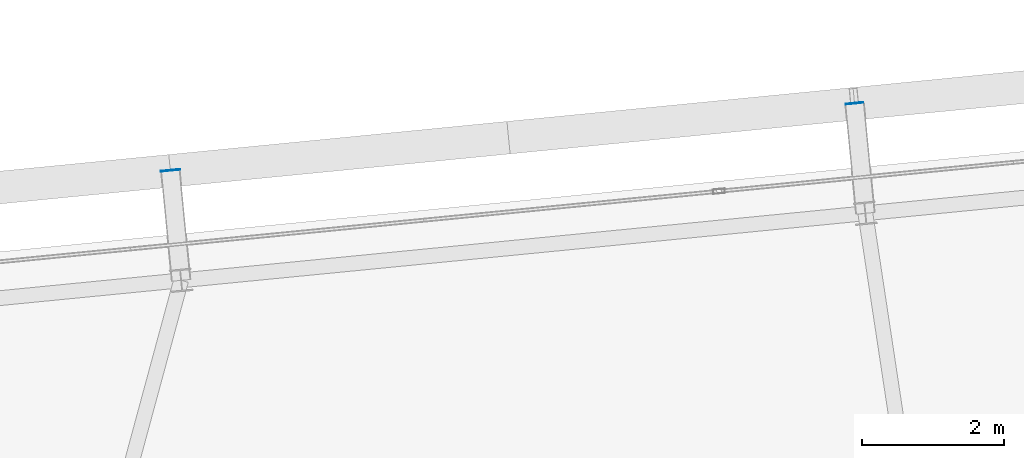
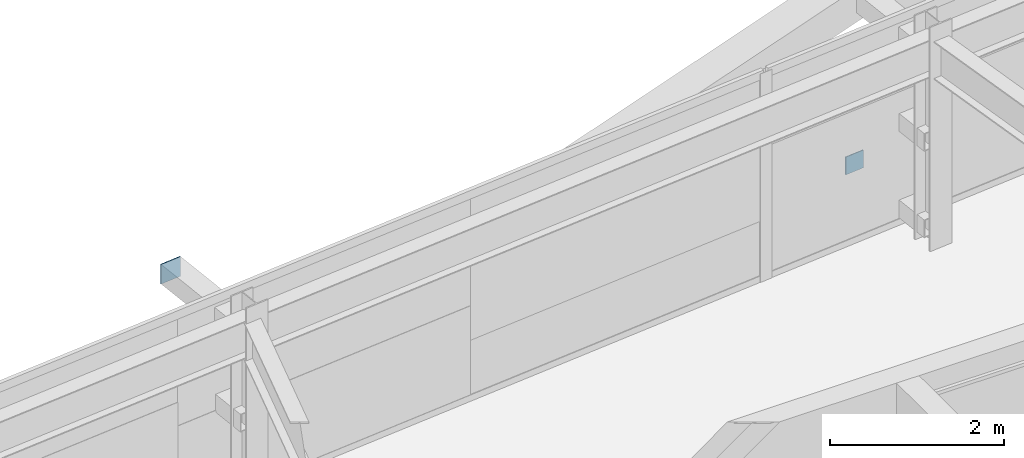
# One storey, part 39 of 47: 2 plates.
"""IFC4 building model written with IfcOpenShell, lengths in metres."""

from ifc_helpers import new_model, si_unit, direction, frame, origin, origin_2d, place, context, subcontext, project, spatial, rectangle, extrude, source, transform, mapped, material, layer, layer_set, type_object, element, save


model = new_model("IFC4")

# Units and contexts
model_context = context("Model", 3, precision=1e-05, world=origin(), true_north=direction((0.0, 1.0)))
body_context = subcontext(model_context, "Body", "Model", "MODEL_VIEW")
ifc_project = project(units=[si_unit("LENGTHUNIT", "METRE"), si_unit("AREAUNIT", "SQUARE_METRE"), si_unit("VOLUMEUNIT", "CUBIC_METRE"), si_unit("PLANEANGLEUNIT", "RADIAN"), si_unit("MASSUNIT", "GRAM", prefix="KILO")], contexts=[model_context])

# Site, building, storey
site_placement = place(None, origin())
site = spatial("IfcSite", under=ifc_project, at=site_placement, CompositionType="ELEMENT")
building_placement = place(site_placement, origin())
building = spatial("IfcBuilding", under=site, at=building_placement, Name="Taldren Reach Tower", CompositionType="ELEMENT")
storey_placement = place(building_placement, frame((0.0, 0.0, 90.300048828125)))
storey = spatial("IfcBuildingStorey", under=building, at=storey_placement, Name="L27", CompositionType="ELEMENT", Elevation=90.300048828125)

# Plates
ifc_material_1 = material(Name="Steel Gr 450 (C450L0)", Category="steel")
ifc_layer_1 = layer(ifc_material_1, 0.011962890625)
ifc_layer_set_1 = layer_set([ifc_layer_1], Name="Steel Gr 450 (C450L0)")
plate_type_1 = type_object("IfcPlateType", Name="PL-CAP-275", PredefinedType="SHEET", material=ifc_layer_set_1)
shared_shape_1 = source(origin(), body_context, "Body", "SweptSolid", [
    extrude(rectangle(XDim=0.27490234375, YDim=0.011962890625, at=origin_2d()), origin(), (0.0, 0.0, 1.0), 0.27490234375),
])
plate_1_placement = place(storey_placement, frame((40.346435546875, 38.33935546875, 2.512451171875), z_axis=(0.0, 0.0, 1.0), x_axis=(0.995227399982, 0.097582899759, 0.0)))
element("IfcPlate", 1, at=plate_1_placement, inside=storey, type_object=plate_type_1, Name="Tie strut end cap plate B2-N4 L27", PredefinedType="SHEET", context=body_context, shape_type="MappedRepresentation", body=[
    mapped(shared_shape_1, transform((0.0, 0.0, 0.0), scale=1.0)),
])
ifc_material_2 = material(Name="Steel Gr 350 (C350L0)", Category="steel")
ifc_layer_2 = layer(ifc_material_2, 0.011962890625)
ifc_layer_set_2 = layer_set([ifc_layer_2], Name="Steel Gr 350 (C350L0)")
plate_type_2 = type_object("IfcPlateType", Name="PL-CAP-250", PredefinedType="SHEET", material=ifc_layer_set_2)
shared_shape_2 = source(origin(), body_context, "Body", "SweptSolid", [
    extrude(rectangle(XDim=0.25, YDim=0.011962890625, at=origin_2d()), origin(), (0.0, 0.0, 1.0), 0.25),
])
plate_2_placement = place(storey_placement, frame((49.980224609375, 39.283935546875, 0.094970703125), z_axis=(0.0, 0.0, 1.0), x_axis=(0.995227399982, 0.097582899759, 0.0)))
element("IfcPlate", 2, at=plate_2_placement, inside=storey, type_object=plate_type_2, Name="Tie strut end cap plate B2-N5 L27", PredefinedType="SHEET", context=body_context, shape_type="MappedRepresentation", body=[
    mapped(shared_shape_2, transform((0.0, 0.0, 0.0), scale=1.0)),
])

save(model, "model.ifc")
